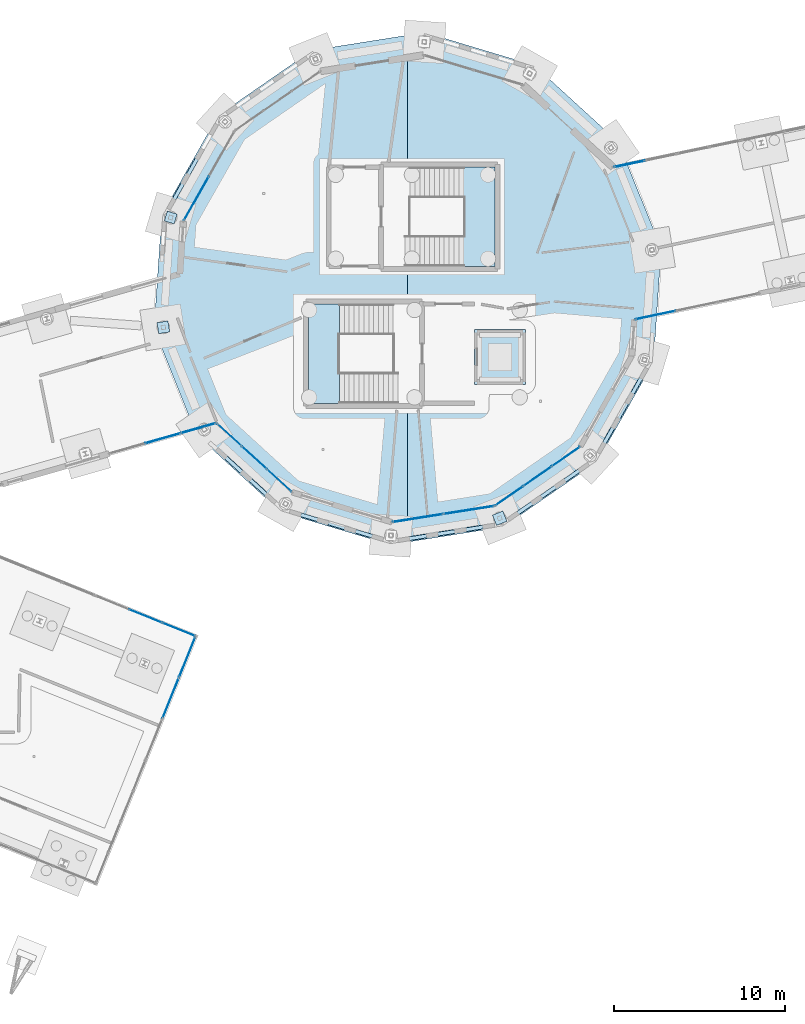
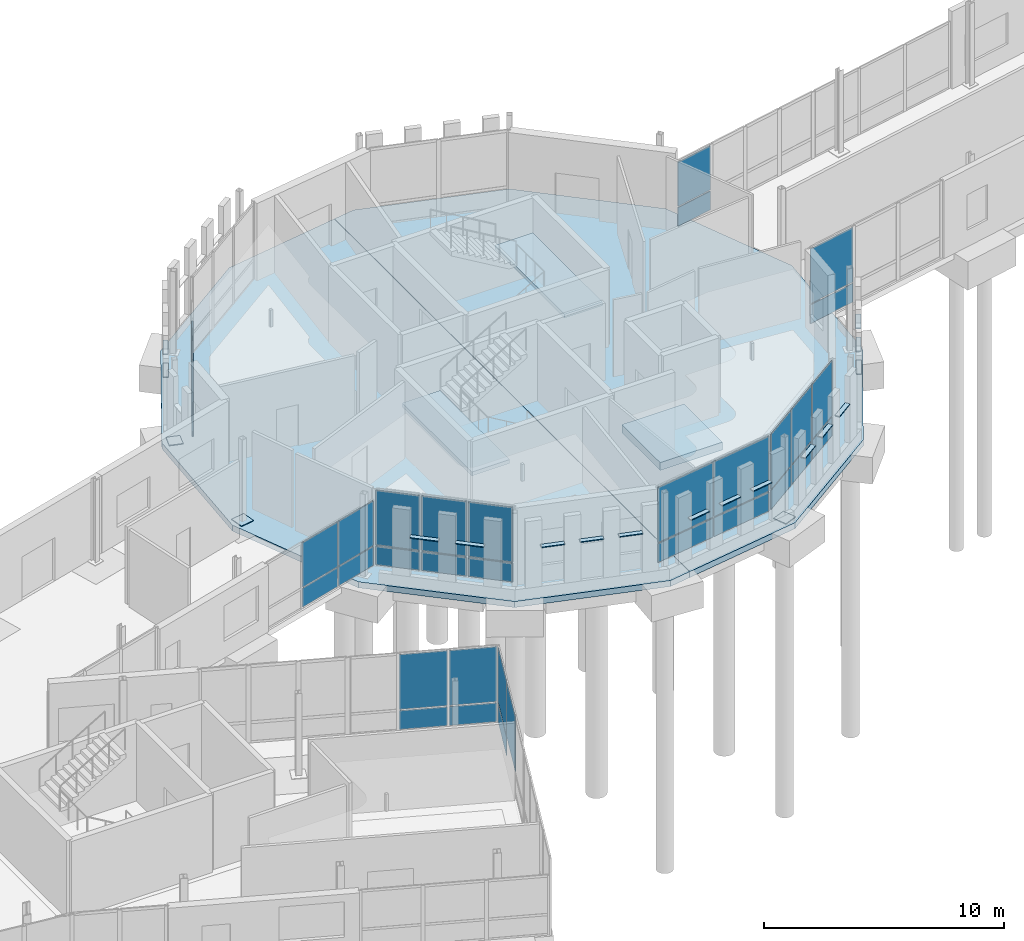
# One storey, part 69 of 113: 52 plates, 5 slabs, 11 elements without a shape of their own.
"""IFC4 building model written with IfcOpenShell, lengths in metres."""

from ifc_helpers import new_model, si_unit, direction, frame, origin, origin_2d, place, context, subcontext, project, spatial, polyline, rectangle, outline, extrude, material, layer, layer_set, type_object, element, aggregate, save


model = new_model("IFC4")

# Units and contexts
model_context = context("Model", 3, precision=1e-05, world=origin(), true_north=direction((0.0, 1.0)))
body_context = subcontext(model_context, "Body", "Model", "MODEL_VIEW")
ifc_project = project(units=[si_unit("LENGTHUNIT", "METRE"), si_unit("AREAUNIT", "SQUARE_METRE"), si_unit("VOLUMEUNIT", "CUBIC_METRE"), si_unit("PLANEANGLEUNIT", "RADIAN"), si_unit("MASSUNIT", "GRAM", prefix="KILO")], contexts=[model_context])

# Site, building, storey
site_placement = place(None, origin())
site = spatial("IfcSite", under=ifc_project, at=site_placement, CompositionType="ELEMENT")
building_placement = place(site_placement, origin())
building = spatial("IfcBuilding", under=site, at=building_placement, Name="Wrenclough Park School", CompositionType="ELEMENT")
storey_placement = place(building_placement, origin())
storey = spatial("IfcBuildingStorey", under=building, at=storey_placement, Name="L00", CompositionType="ELEMENT", Elevation=0.0)

# Curtain wall, plates
ifc_material_1 = material(Name="Thermally broken aluminium and low-e glass curtain wall", Category="aluminium")
curtain_wall_type_1 = type_object("IfcCurtainWallType", Name="ENV-CW-05", PredefinedType="USERDEFINED", material=ifc_material_1)
curtain_wall_1_placement = place(storey_placement, origin())
curtain_wall_1 = element("IfcCurtainWall", 1, at=curtain_wall_1_placement, inside=storey, type_object=curtain_wall_type_1, Name="L00 recessed curtain wall assembly 068", ObjectType="CURTAIN WALL", PredefinedType="USERDEFINED")
ifc_material_2 = material(Name="Double-glazed solar-control low-e glass", Category="glass")
ifc_layer_1 = layer(ifc_material_2, 0.02587890625)
ifc_layer_set_1 = layer_set([ifc_layer_1], Name="Double-glazed solar-control low-e glass")
plate_type_1 = type_object("IfcPlateType", Name="ENV-CWP-GL26", PredefinedType="CURTAIN_PANEL", material=ifc_layer_set_1)
plate_1_placement = place(storey_placement, frame((75.498291015625, 97.292236328125, 0.06982421875), z_axis=(0.0, 0.0, 1.0), x_axis=(-0.738120799972, 0.67466857393, 0.0)))
plate_1 = element("IfcPlate", 2, at=plate_1_placement, type_object=plate_type_1, Name="CW-05 panel 1.1", PredefinedType="CURTAIN_PANEL", context=body_context, shape_type="SweptSolid", body=[
    extrude(rectangle(XDim=1.89013671875, YDim=0.02587890625, at=origin_2d()), origin(), (0.0, 0.0, 1.0), 0.945068359375),
])
plate_2_placement = place(storey_placement, frame((75.498291015625, 97.292236328125, 1.0849609375), z_axis=(0.0, 0.0, 1.0), x_axis=(-0.738120799972, 0.67466857393, 0.0)))
plate_2 = element("IfcPlate", 3, at=plate_2_placement, type_object=plate_type_1, Name="CW-05 panel 1.2", PredefinedType="CURTAIN_PANEL", context=body_context, shape_type="SweptSolid", body=[
    extrude(rectangle(XDim=1.89013671875, YDim=0.02587890625, at=origin_2d()), origin(), (0.0, 0.0, 1.0), 2.784912109375),
])
plate_3_placement = place(storey_placement, frame((74.038330078125, 98.62646484375, 0.06982421875), z_axis=(0.0, 0.0, 1.0), x_axis=(-0.738120799972, 0.67466857393, 0.0)))
plate_3 = element("IfcPlate", 4, at=plate_3_placement, type_object=plate_type_1, Name="CW-05 panel 2.1", PredefinedType="CURTAIN_PANEL", context=body_context, shape_type="SweptSolid", body=[
    extrude(rectangle(XDim=1.92529296875, YDim=0.02587890625, at=origin_2d()), origin(), (0.0, 0.0, 1.0), 0.945068359375),
])
plate_4_placement = place(storey_placement, frame((74.038330078125, 98.62646484375, 1.0849609375), z_axis=(0.0, 0.0, 1.0), x_axis=(-0.738120799972, 0.67466857393, 0.0)))
plate_4 = element("IfcPlate", 5, at=plate_4_placement, type_object=plate_type_1, Name="CW-05 panel 2.2", PredefinedType="CURTAIN_PANEL", context=body_context, shape_type="SweptSolid", body=[
    extrude(rectangle(XDim=1.92529296875, YDim=0.02587890625, at=origin_2d()), origin(), (0.0, 0.0, 1.0), 2.784912109375),
])
plate_5_placement = place(storey_placement, frame((72.57861328125, 99.960693359375, 0.06982421875), z_axis=(0.0, 0.0, 1.0), x_axis=(-0.738120799972, 0.67466857393, 0.0)))
plate_5 = element("IfcPlate", 6, at=plate_5_placement, type_object=plate_type_1, Name="CW-05 panel 3.1", PredefinedType="CURTAIN_PANEL", context=body_context, shape_type="SweptSolid", body=[
    extrude(rectangle(XDim=1.89013671875, YDim=0.02587890625, at=origin_2d()), origin(), (0.0, 0.0, 1.0), 0.945068359375),
])
plate_6_placement = place(storey_placement, frame((72.57861328125, 99.960693359375, 1.0849609375), z_axis=(0.0, 0.0, 1.0), x_axis=(-0.738120799972, 0.67466857393, 0.0)))
plate_6 = element("IfcPlate", 7, at=plate_6_placement, type_object=plate_type_1, Name="CW-05 panel 3.2", PredefinedType="CURTAIN_PANEL", context=body_context, shape_type="SweptSolid", body=[
    extrude(rectangle(XDim=1.89013671875, YDim=0.02587890625, at=origin_2d()), origin(), (0.0, 0.0, 1.0), 2.784912109375),
])
aggregate(curtain_wall_1, [plate_1, plate_2, plate_3, plate_4, plate_5, plate_6])

curtain_wall_type_2 = type_object("IfcCurtainWallType", Name="ENV-CW-09", PredefinedType="USERDEFINED", material=ifc_material_1)
curtain_wall_2_placement = place(storey_placement, origin())
curtain_wall_2 = element("IfcCurtainWall", 8, at=curtain_wall_2_placement, inside=storey, type_object=curtain_wall_type_2, Name="L00 recessed curtain wall assembly 072", ObjectType="CURTAIN WALL", PredefinedType="USERDEFINED")
plate_7_placement = place(storey_placement, frame((67.6875, 89.370849609375, 0.06005859375), z_axis=(0.0, 0.0, 1.0), x_axis=(0.927183906329, -0.3746064653, 0.0)))
plate_7 = element("IfcPlate", 9, at=plate_7_placement, type_object=plate_type_1, Name="CW-09 panel 2.1", PredefinedType="CURTAIN_PANEL", context=body_context, shape_type="SweptSolid", body=[
    extrude(rectangle(XDim=2.0419921875, YDim=0.02587890625, at=origin_2d()), origin(), (0.0, 0.0, 1.0), 0.9599609375),
])
plate_8_placement = place(storey_placement, frame((67.6875, 89.370849609375, 1.080078125), z_axis=(0.0, 0.0, 1.0), x_axis=(0.927183906329, -0.3746064653, 0.0)))
plate_8 = element("IfcPlate", 10, at=plate_8_placement, type_object=plate_type_1, Name="CW-09 panel 2.2", PredefinedType="CURTAIN_PANEL", context=body_context, shape_type="SweptSolid", body=[
    extrude(rectangle(XDim=2.0419921875, YDim=0.02587890625, at=origin_2d()), origin(), (0.0, 0.0, 1.0), 2.800048828125),
])
plate_9_placement = place(storey_placement, frame((69.62255859375, 88.589111328125, 0.06005859375), z_axis=(0.0, 0.0, 1.0), x_axis=(0.927183906329, -0.3746064653, 0.0)))
plate_9 = element("IfcPlate", 11, at=plate_9_placement, type_object=plate_type_1, Name="CW-09 panel 3.1", PredefinedType="CURTAIN_PANEL", context=body_context, shape_type="SweptSolid", body=[
    extrude(rectangle(XDim=2.011962890625, YDim=0.02587890625, at=origin_2d()), origin(), (0.0, 0.0, 1.0), 0.9599609375),
])
plate_10_placement = place(storey_placement, frame((69.62255859375, 88.589111328125, 1.080078125), z_axis=(0.0, 0.0, 1.0), x_axis=(0.927183906329, -0.3746064653, 0.0)))
plate_10 = element("IfcPlate", 12, at=plate_10_placement, type_object=plate_type_1, Name="CW-09 panel 3.2", PredefinedType="CURTAIN_PANEL", context=body_context, shape_type="SweptSolid", body=[
    extrude(rectangle(XDim=2.011962890625, YDim=0.02587890625, at=origin_2d()), origin(), (0.0, 0.0, 1.0), 2.800048828125),
])
aggregate(curtain_wall_2, [plate_7, plate_8, plate_9, plate_10])

curtain_wall_type_3 = type_object("IfcCurtainWallType", Name="ENV-CW-02", PredefinedType="USERDEFINED", material=ifc_material_1)
curtain_wall_3_placement = place(storey_placement, origin())
curtain_wall_3 = element("IfcCurtainWall", 13, at=curtain_wall_3_placement, inside=storey, type_object=curtain_wall_type_3, Name="L00 recessed curtain wall assembly 065", ObjectType="CURTAIN WALL", PredefinedType="USERDEFINED")
ifc_material_3 = material(Name="Double-glazed acoustic low-e glass", Category="glass")
ifc_layer_2 = layer(ifc_material_3, 0.030029296875)
ifc_layer_set_2 = layer_set([ifc_layer_2], Name="Double-glazed acoustic low-e glass")
plate_type_2 = type_object("IfcPlateType", Name="ENV-CWP-GL30", PredefinedType="CURTAIN_PANEL", material=ifc_layer_set_2)
plate_11_placement = place(storey_placement, frame((97.477294921875, 106.953125, 0.06982421875), z_axis=(0.0, 0.0, 1.0), x_axis=(-0.978788431396, -0.204873635602, 0.0)))
plate_11 = element("IfcPlate", 14, at=plate_11_placement, type_object=plate_type_2, Name="CW-02 panel 3.1", PredefinedType="CURTAIN_PANEL", context=body_context, shape_type="SweptSolid", body=[
    extrude(rectangle(XDim=2.375, YDim=0.030029296875, at=origin_2d()), origin(), (0.0, 0.0, 1.0), 0.945068359375),
])
plate_12_placement = place(storey_placement, frame((97.477294921875, 106.953125, 1.0849609375), z_axis=(0.0, 0.0, 1.0), x_axis=(-0.978788431396, -0.204873635602, 0.0)))
plate_12 = element("IfcPlate", 15, at=plate_12_placement, type_object=plate_type_2, Name="CW-02 panel 3.2", PredefinedType="CURTAIN_PANEL", context=body_context, shape_type="SweptSolid", body=[
    extrude(rectangle(XDim=2.375, YDim=0.030029296875, at=origin_2d()), origin(), (0.0, 0.0, 1.0), 2.784912109375),
])
aggregate(curtain_wall_3, [plate_11, plate_12])

curtain_wall_type_4 = type_object("IfcCurtainWallType", Name="ENV-CW-10", PredefinedType="USERDEFINED", material=ifc_material_1)
curtain_wall_4_placement = place(storey_placement, origin())
curtain_wall_4 = element("IfcCurtainWall", 16, at=curtain_wall_4_placement, inside=storey, type_object=curtain_wall_type_4, Name="L00 recessed curtain wall assembly 073", ObjectType="CURTAIN WALL", PredefinedType="USERDEFINED")
plate_13_placement = place(storey_placement, frame((70.121826171875, 86.968505859375, 0.06494140625), z_axis=(0.0, 0.0, 1.0), x_axis=(-0.374589627082, -0.92719070923, 0.0)))
plate_13 = element("IfcPlate", 17, at=plate_13_placement, type_object=plate_type_2, Name="CW-10 panel 1.1", PredefinedType="CURTAIN_PANEL", context=body_context, shape_type="SweptSolid", body=[
    extrude(rectangle(XDim=2.4931640625, YDim=0.030029296875, at=origin_2d()), origin(), (0.0, 0.0, 1.0), 0.952392578125),
])
plate_14_placement = place(storey_placement, frame((70.121826171875, 86.968505859375, 1.08251953125), z_axis=(0.0, 0.0, 1.0), x_axis=(-0.374589627082, -0.92719070923, 0.0)))
plate_14 = element("IfcPlate", 18, at=plate_14_placement, type_object=plate_type_2, Name="CW-10 panel 1.2", PredefinedType="CURTAIN_PANEL", context=body_context, shape_type="SweptSolid", body=[
    extrude(rectangle(XDim=2.4931640625, YDim=0.030029296875, at=origin_2d()), origin(), (0.0, 0.0, 1.0), 2.79248046875),
])
plate_15_placement = place(storey_placement, frame((69.157470703125, 84.58154296875, 1.08251953125), z_axis=(0.0, 0.0, 1.0), x_axis=(-0.374589627082, -0.92719070923, 0.0)))
plate_15 = element("IfcPlate", 19, at=plate_15_placement, type_object=plate_type_2, Name="CW-10 panel 2.2", PredefinedType="CURTAIN_PANEL", context=body_context, shape_type="SweptSolid", body=[
    extrude(rectangle(XDim=2.525634765625, YDim=0.030029296875, at=origin_2d()), origin(), (0.0, 0.0, 1.0), 2.79248046875),
])
aggregate(curtain_wall_4, [plate_13, plate_14, plate_15])

curtain_wall_type_5 = type_object("IfcCurtainWallType", Name="ENV-CW-03", PredefinedType="USERDEFINED", material=ifc_material_1)
curtain_wall_5_placement = place(storey_placement, origin())
curtain_wall_5 = element("IfcCurtainWall", 20, at=curtain_wall_5_placement, inside=storey, type_object=curtain_wall_type_5, Name="L00 recessed curtain wall assembly 066", ObjectType="CURTAIN WALL", PredefinedType="USERDEFINED")
ifc_material_4 = material(Name="Triple-glazed senior-lab low-e glass", Category="glass")
ifc_layer_3 = layer(ifc_material_4, 0.033935546875)
ifc_layer_set_3 = layer_set([ifc_layer_3], Name="Triple-glazed senior-lab low-e glass")
plate_type_3 = type_object("IfcPlateType", Name="ENV-CWP-GL34", PredefinedType="CURTAIN_PANEL", material=ifc_layer_set_3)
plate_16_placement = place(storey_placement, frame((92.246826171875, 98.6845703125, 0.06005859375), z_axis=(0.0, 0.0, 1.0), x_axis=(-0.822000846783, -0.569486266638, 0.0)))
plate_16 = element("IfcPlate", 21, at=plate_16_placement, type_object=plate_type_3, Name="CW-03 panel 1.1", PredefinedType="CURTAIN_PANEL", context=body_context, shape_type="SweptSolid", body=[
    extrude(rectangle(XDim=1.93603515625, YDim=0.033935546875, at=origin_2d()), origin(), (0.0, 0.0, 1.0), 0.9599609375),
])
plate_17_placement = place(storey_placement, frame((92.246826171875, 98.6845703125, 1.080078125), z_axis=(0.0, 0.0, 1.0), x_axis=(-0.822000846783, -0.569486266638, 0.0)))
plate_17 = element("IfcPlate", 22, at=plate_17_placement, type_object=plate_type_3, Name="CW-03 panel 1.2", PredefinedType="CURTAIN_PANEL", context=body_context, shape_type="SweptSolid", body=[
    extrude(rectangle(XDim=1.93603515625, YDim=0.033935546875, at=origin_2d()), origin(), (0.0, 0.0, 1.0), 2.800048828125),
])
plate_18_placement = place(storey_placement, frame((90.593505859375, 97.539306640625, 0.06005859375), z_axis=(0.0, 0.0, 1.0), x_axis=(-0.822000846783, -0.569486266638, 0.0)))
plate_18 = element("IfcPlate", 23, at=plate_18_placement, type_object=plate_type_3, Name="CW-03 panel 2.1", PredefinedType="CURTAIN_PANEL", context=body_context, shape_type="SweptSolid", body=[
    extrude(rectangle(XDim=1.966064453125, YDim=0.033935546875, at=origin_2d()), origin(), (0.0, 0.0, 1.0), 0.9599609375),
])
plate_19_placement = place(storey_placement, frame((90.593505859375, 97.539306640625, 1.080078125), z_axis=(0.0, 0.0, 1.0), x_axis=(-0.822000846783, -0.569486266638, 0.0)))
plate_19 = element("IfcPlate", 24, at=plate_19_placement, type_object=plate_type_3, Name="CW-03 panel 2.2", PredefinedType="CURTAIN_PANEL", context=body_context, shape_type="SweptSolid", body=[
    extrude(rectangle(XDim=1.966064453125, YDim=0.033935546875, at=origin_2d()), origin(), (0.0, 0.0, 1.0), 2.800048828125),
])
plate_20_placement = place(storey_placement, frame((88.9404296875, 96.39404296875, 0.06005859375), z_axis=(0.0, 0.0, 1.0), x_axis=(-0.822000846783, -0.569486266638, 0.0)))
plate_20 = element("IfcPlate", 25, at=plate_20_placement, type_object=plate_type_3, Name="CW-03 panel 3.1", PredefinedType="CURTAIN_PANEL", context=body_context, shape_type="SweptSolid", body=[
    extrude(rectangle(XDim=1.93603515625, YDim=0.033935546875, at=origin_2d()), origin(), (0.0, 0.0, 1.0), 0.9599609375),
])
plate_21_placement = place(storey_placement, frame((88.9404296875, 96.39404296875, 1.080078125), z_axis=(0.0, 0.0, 1.0), x_axis=(-0.822000846783, -0.569486266638, 0.0)))
plate_21 = element("IfcPlate", 26, at=plate_21_placement, type_object=plate_type_3, Name="CW-03 panel 3.2", PredefinedType="CURTAIN_PANEL", context=body_context, shape_type="SweptSolid", body=[
    extrude(rectangle(XDim=1.93603515625, YDim=0.033935546875, at=origin_2d()), origin(), (0.0, 0.0, 1.0), 2.800048828125),
])
aggregate(curtain_wall_5, [plate_16, plate_17, plate_18, plate_19, plate_20, plate_21])

curtain_wall_type_6 = type_object("IfcCurtainWallType", Name="ENV-CW-12", PredefinedType="USERDEFINED", material=ifc_material_1)
curtain_wall_6_placement = place(storey_placement, origin())
curtain_wall_6 = element("IfcCurtainWall", 27, at=curtain_wall_6_placement, inside=storey, type_object=curtain_wall_type_6, Name="L00 recessed curtain wall assembly 011", ObjectType="CURTAIN WALL", PredefinedType="USERDEFINED")
ifc_material_5 = material(Name="Laminated sports-concourse safety glass", Category="glass")
ifc_layer_4 = layer(ifc_material_5, 0.0380859375)
ifc_layer_set_4 = layer_set([ifc_layer_4], Name="Laminated sports-concourse safety glass")
plate_type_4 = type_object("IfcPlateType", Name="ENV-CWP-GL38", PredefinedType="CURTAIN_PANEL", material=ifc_layer_set_4)
plate_22_placement = place(storey_placement, frame((70.66162109375, 113.77392578125, 0.06982421875), z_axis=(0.0, 0.0, 1.0), x_axis=(0.493500599274, 0.869745456163, 0.0)))
plate_22 = element("IfcPlate", 28, at=plate_22_placement, type_object=plate_type_4, Name="CW-12 panel 1.1", PredefinedType="CURTAIN_PANEL", context=body_context, shape_type="SweptSolid", body=[
    extrude(rectangle(XDim=2.9345703125, YDim=0.0380859375, at=origin_2d()), origin(), (0.0, 0.0, 1.0), 0.945068359375),
])
plate_23_placement = place(storey_placement, frame((70.66162109375, 113.77392578125, 1.0849609375), z_axis=(0.0, 0.0, 1.0), x_axis=(0.493500599274, 0.869745456163, 0.0)))
plate_23 = element("IfcPlate", 29, at=plate_23_placement, type_object=plate_type_4, Name="CW-12 panel 1.2", PredefinedType="CURTAIN_PANEL", context=body_context, shape_type="SweptSolid", body=[
    extrude(rectangle(XDim=2.9345703125, YDim=0.0380859375, at=origin_2d()), origin(), (0.0, 0.0, 1.0), 2.784912109375),
])
aggregate(curtain_wall_6, [plate_22, plate_23])

curtain_wall_type_7 = type_object("IfcCurtainWallType", Name="ENV-CW-04", PredefinedType="USERDEFINED", material=ifc_material_1)
curtain_wall_7_placement = place(storey_placement, origin())
curtain_wall_7 = element("IfcCurtainWall", 30, at=curtain_wall_7_placement, inside=storey, type_object=curtain_wall_type_7, Name="L00 recessed curtain wall assembly 067", ObjectType="CURTAIN WALL", PredefinedType="USERDEFINED")
plate_24_placement = place(storey_placement, frame((86.571044921875, 95.5654296875, 0.06494140625), z_axis=(0.0, 0.0, 1.0), x_axis=(-0.987689764371, -0.156425475408, 0.0)))
plate_24 = element("IfcPlate", 31, at=plate_24_placement, type_object=plate_type_4, Name="CW-04 panel 1.1", PredefinedType="CURTAIN_PANEL", context=body_context, shape_type="SweptSolid", body=[
    extrude(rectangle(XDim=2.94189453125, YDim=0.0380859375, at=origin_2d()), origin(), (0.0, 0.0, 1.0), 0.952392578125),
])
plate_25_placement = place(storey_placement, frame((86.571044921875, 95.5654296875, 1.08251953125), z_axis=(0.0, 0.0, 1.0), x_axis=(-0.987689764371, -0.156425475408, 0.0)))
plate_25 = element("IfcPlate", 32, at=plate_25_placement, type_object=plate_type_4, Name="CW-04 panel 1.2", PredefinedType="CURTAIN_PANEL", context=body_context, shape_type="SweptSolid", body=[
    extrude(rectangle(XDim=2.94189453125, YDim=0.0380859375, at=origin_2d()), origin(), (0.0, 0.0, 1.0), 2.79248046875),
])
plate_26_placement = place(storey_placement, frame((83.60107421875, 95.094970703125, 0.06494140625), z_axis=(0.0, 0.0, 1.0), x_axis=(-0.987689764371, -0.156425475408, 0.0)))
plate_26 = element("IfcPlate", 33, at=plate_26_placement, type_object=plate_type_4, Name="CW-04 panel 2.1", PredefinedType="CURTAIN_PANEL", context=body_context, shape_type="SweptSolid", body=[
    extrude(rectangle(XDim=2.94189453125, YDim=0.0380859375, at=origin_2d()), origin(), (0.0, 0.0, 1.0), 0.952392578125),
])
plate_27_placement = place(storey_placement, frame((83.60107421875, 95.094970703125, 1.08251953125), z_axis=(0.0, 0.0, 1.0), x_axis=(-0.987689764371, -0.156425475408, 0.0)))
plate_27 = element("IfcPlate", 34, at=plate_27_placement, type_object=plate_type_4, Name="CW-04 panel 2.2", PredefinedType="CURTAIN_PANEL", context=body_context, shape_type="SweptSolid", body=[
    extrude(rectangle(XDim=2.94189453125, YDim=0.0380859375, at=origin_2d()), origin(), (0.0, 0.0, 1.0), 2.79248046875),
])
aggregate(curtain_wall_7, [plate_24, plate_25, plate_26, plate_27])

curtain_wall_type_8 = type_object("IfcCurtainWallType", Name="ENV-CW-06", PredefinedType="USERDEFINED", material=ifc_material_1)
curtain_wall_8_placement = place(storey_placement, origin())
curtain_wall_8 = element("IfcCurtainWall", 35, at=curtain_wall_8_placement, inside=storey, type_object=curtain_wall_type_8, Name="L00 recessed curtain wall assembly 069", ObjectType="CURTAIN WALL", PredefinedType="USERDEFINED")
ifc_material_6 = material(Name="Insulated anodised aluminium spandrel panel", Category="aluminium")
ifc_layer_5 = layer(ifc_material_6, 0.0419921875)
ifc_layer_set_5 = layer_set([ifc_layer_5], Name="Insulated anodised aluminium spandrel panel")
plate_type_5 = type_object("IfcPlateType", Name="ENV-CWP-SP42", PredefinedType="CURTAIN_PANEL", material=ifc_layer_set_5)
plate_28_placement = place(storey_placement, frame((70.766357421875, 100.345458984375, 0.06005859375), z_axis=(0.0, 0.0, 1.0), x_axis=(-0.961523367152, -0.274723159598, 0.0)))
plate_28 = element("IfcPlate", 36, at=plate_28_placement, type_object=plate_type_5, Name="CW-06 panel 1.1", PredefinedType="CURTAIN_PANEL", context=body_context, shape_type="SweptSolid", body=[
    extrude(rectangle(XDim=2.076904296875, YDim=0.0419921875, at=origin_2d()), origin(), (0.0, 0.0, 1.0), 0.9599609375),
])
plate_29_placement = place(storey_placement, frame((70.766357421875, 100.345458984375, 1.080078125), z_axis=(0.0, 0.0, 1.0), x_axis=(-0.961523367152, -0.274723159598, 0.0)))
plate_29 = element("IfcPlate", 37, at=plate_29_placement, type_object=plate_type_5, Name="CW-06 panel 1.2", PredefinedType="CURTAIN_PANEL", context=body_context, shape_type="SweptSolid", body=[
    extrude(rectangle(XDim=2.076904296875, YDim=0.0419921875, at=origin_2d()), origin(), (0.0, 0.0, 1.0), 2.2587890625),
])
plate_30_placement = place(storey_placement, frame((68.697265625, 99.754150390625, 0.06005859375), z_axis=(0.0, 0.0, 1.0), x_axis=(-0.961523367152, -0.274723159598, 0.0)))
plate_30 = element("IfcPlate", 38, at=plate_30_placement, type_object=plate_type_5, Name="CW-06 panel 2.1", PredefinedType="CURTAIN_PANEL", context=body_context, shape_type="SweptSolid", body=[
    extrude(rectangle(XDim=2.10693359375, YDim=0.0419921875, at=origin_2d()), origin(), (0.0, 0.0, 1.0), 0.9599609375),
])
plate_31_placement = place(storey_placement, frame((68.697265625, 99.754150390625, 1.080078125), z_axis=(0.0, 0.0, 1.0), x_axis=(-0.961523367152, -0.274723159598, 0.0)))
plate_31 = element("IfcPlate", 39, at=plate_31_placement, type_object=plate_type_5, Name="CW-06 panel 2.2", PredefinedType="CURTAIN_PANEL", context=body_context, shape_type="SweptSolid", body=[
    extrude(rectangle(XDim=2.10693359375, YDim=0.0419921875, at=origin_2d()), origin(), (0.0, 0.0, 1.0), 2.2587890625),
])
aggregate(curtain_wall_8, [plate_28, plate_29, plate_30, plate_31])

curtain_wall_type_9 = type_object("IfcCurtainWallType", Name="ENV-CW-15", PredefinedType="USERDEFINED", material=ifc_material_1)
curtain_wall_9_placement = place(storey_placement, origin())
curtain_wall_9 = element("IfcCurtainWall", 40, at=curtain_wall_9_placement, inside=storey, type_object=curtain_wall_type_9, Name="L00 recessed curtain wall assembly 014", ObjectType="CURTAIN WALL", PredefinedType="USERDEFINED")
ifc_material_7 = material(Name="Insulated patinated copper-toned spandrel panel", Category="aluminium")
ifc_layer_6 = layer(ifc_material_7, 0.048095703125)
ifc_layer_set_6 = layer_set([ifc_layer_6], Name="Insulated patinated copper-toned spandrel panel")
plate_type_6 = type_object("IfcPlateType", Name="ENV-CWP-SP48", PredefinedType="CURTAIN_PANEL", material=ifc_layer_set_6)
plate_32_placement = place(storey_placement, frame((95.962890625, 115.790283203125, 0.06982421875), z_axis=(0.0, 0.0, 1.0), x_axis=(0.978788978052, 0.204871023923, 0.0)))
plate_32 = element("IfcPlate", 41, at=plate_32_placement, type_object=plate_type_6, Name="CW-15 panel 1.1", PredefinedType="CURTAIN_PANEL", context=body_context, shape_type="SweptSolid", body=[
    extrude(rectangle(XDim=1.805908203125, YDim=0.048095703125, at=origin_2d()), origin(), (0.0, 0.0, 1.0), 0.945068359375),
])
plate_33_placement = place(storey_placement, frame((95.962890625, 115.790283203125, 1.0849609375), z_axis=(0.0, 0.0, 1.0), x_axis=(0.978788978052, 0.204871023923, 0.0)))
plate_33 = element("IfcPlate", 42, at=plate_33_placement, type_object=plate_type_6, Name="CW-15 panel 1.2", PredefinedType="CURTAIN_PANEL", context=body_context, shape_type="SweptSolid", body=[
    extrude(rectangle(XDim=1.805908203125, YDim=0.048095703125, at=origin_2d()), origin(), (0.0, 0.0, 1.0), 2.243896484375),
])
aggregate(curtain_wall_9, [plate_32, plate_33])

# Plates
ifc_material_8 = material(Name="Anodised architectural aluminium solar shading fin plate", Category="aluminium")
ifc_layer_7 = layer(ifc_material_8, 0.0380859375)
ifc_layer_set_7 = layer_set([ifc_layer_7], Name="Anodised architectural aluminium solar shading fin plate")
plate_type_7 = type_object("IfcPlateType", Name="ENV-PL-BSF", PredefinedType="SHEET", material=ifc_layer_set_7)
plate_34_placement = place(storey_placement, frame((70.4375, 115.62841796875, 2.4951171875), z_axis=(0.0, 0.0, 1.0), x_axis=(-0.493508752009, -0.869740830185, 0.0)))
element("IfcPlate", 43, at=plate_34_placement, inside=storey, type_object=plate_type_7, Name="D4 L00 open-bond brick screen tie band 0086", PredefinedType="SHEET", context=body_context, shape_type="SweptSolid", body=[
    extrude(rectangle(XDim=1.01806640625, YDim=0.219970703125, at=origin_2d()), origin(), (0.0, 0.0, 1.0), 0.0419921875),
])
plate_35_placement = place(storey_placement, frame((69.614013671875, 114.1767578125, 2.4951171875), z_axis=(0.0, 0.0, 1.0), x_axis=(-0.493508752009, -0.869740830185, 0.0)))
element("IfcPlate", 44, at=plate_35_placement, inside=storey, type_object=plate_type_7, Name="D4 L00 open-bond brick screen tie band 0087", PredefinedType="SHEET", context=body_context, shape_type="SweptSolid", body=[
    extrude(rectangle(XDim=1.017822265625, YDim=0.219970703125, at=origin_2d()), origin(), (0.0, 0.0, 1.0), 0.0419921875),
])
for number, where, z_axis, x_axis, name in (
    (45, (72.848876953125, 98.2099609375, 2.4951171875), (0.0, 0.0, 1.0), (0.738123462925, -0.674665660516, 0.0), "D4 L00 open-bond brick screen tie band 0089"),
    (46, (74.28369140625, 96.8984375, 2.4951171875), (0.0, 0.0, 1.0), (0.738123462925, -0.674665660516, 0.0), "D4 L00 open-bond brick screen tie band 0090"),
):
    element("IfcPlate", number, at=place(storey_placement, frame(where, z_axis=z_axis, x_axis=x_axis)), inside=storey, type_object=plate_type_7, Name=name, PredefinedType="SHEET", context=body_context, shape_type="SweptSolid", body=[
        extrude(rectangle(XDim=1.23388671875, YDim=0.219970703125, at=origin_2d()), origin(), (0.0, 0.0, 1.0), 0.0419921875),
    ])
for number, where, z_axis, x_axis, name in (
    (47, (77.24755859375, 95.146240234375, 2.4951171875), (0.0, 0.0, 1.0), (0.957751215921, -0.287597997911, 0.0), "D4 L00 open-bond brick screen tie band 0091"),
    (48, (78.845947265625, 94.666259765625, 2.4951171875), (0.0, 0.0, 1.0), (0.957751215921, -0.287597997911, 0.0), "D4 L00 open-bond brick screen tie band 0092"),
    (49, (80.4443359375, 94.186279296875, 2.4951171875), (0.0, 0.0, 1.0), (0.957751215921, -0.287597997911, 0.0), "D4 L00 open-bond brick screen tie band 0093"),
    (50, (83.611083984375, 93.972900390625, 2.4951171875), (0.0, 0.0, 1.0), (0.98768815471, 0.156435638666, 0.0), "D4 L00 open-bond brick screen tie band 0094"),
    (51, (85.259521484375, 94.23388671875, 2.4951171875), (0.0, 0.0, 1.0), (0.98768815471, 0.156435638666, 0.0), "D4 L00 open-bond brick screen tie band 0095"),
    (52, (86.90771484375, 94.4951171875, 2.4951171875), (0.0, 0.0, 1.0), (0.98768815471, 0.156435638666, 0.0), "D4 L00 open-bond brick screen tie band 0096"),
):
    element("IfcPlate", number, at=place(storey_placement, frame(where, z_axis=z_axis, x_axis=x_axis)), inside=storey, type_object=plate_type_7, Name=name, PredefinedType="SHEET", context=body_context, shape_type="SweptSolid", body=[
        extrude(rectangle(XDim=1.017822265625, YDim=0.219970703125, at=origin_2d()), origin(), (0.0, 0.0, 1.0), 0.0419921875),
    ])
plate_36_placement = place(storey_placement, frame((89.853759765625, 95.6767578125, 2.4951171875), z_axis=(0.0, 0.0, 1.0), x_axis=(0.8220077158, 0.569476351718, 0.0)))
element("IfcPlate", 53, at=plate_36_placement, inside=storey, type_object=plate_type_7, Name="D4 L00 open-bond brick screen tie band 0097", PredefinedType="SHEET", context=body_context, shape_type="SweptSolid", body=[
    extrude(rectangle(XDim=1.01806640625, YDim=0.219970703125, at=origin_2d()), origin(), (0.0, 0.0, 1.0), 0.0419921875),
])
plate_37_placement = place(storey_placement, frame((91.2255859375, 96.627197265625, 2.4951171875), z_axis=(0.0, 0.0, 1.0), x_axis=(0.8220077158, 0.569476351718, 0.0)))
element("IfcPlate", 54, at=plate_37_placement, inside=storey, type_object=plate_type_7, Name="D4 L00 open-bond brick screen tie band 0098", PredefinedType="SHEET", context=body_context, shape_type="SweptSolid", body=[
    extrude(rectangle(XDim=1.017822265625, YDim=0.219970703125, at=origin_2d()), origin(), (0.0, 0.0, 1.0), 0.0419921875),
])
plate_38_placement = place(storey_placement, frame((92.597412109375, 97.577392578125, 2.4951171875), z_axis=(0.0, 0.0, 1.0), x_axis=(0.8220077158, 0.569476351718, 0.0)))
element("IfcPlate", 55, at=plate_38_placement, inside=storey, type_object=plate_type_7, Name="D4 L00 open-bond brick screen tie band 0099", PredefinedType="SHEET", context=body_context, shape_type="SweptSolid", body=[
    extrude(rectangle(XDim=1.01806640625, YDim=0.219970703125, at=origin_2d()), origin(), (0.0, 0.0, 1.0), 0.0419921875),
])
plate_39_placement = place(storey_placement, frame((94.73876953125, 99.920166015625, 2.4951171875), z_axis=(0.0, 0.0, 1.0), x_axis=(0.493508752009, 0.869740830185, 0.0)))
element("IfcPlate", 56, at=plate_39_placement, inside=storey, type_object=plate_type_7, Name="D4 L00 open-bond brick screen tie band 0100", PredefinedType="SHEET", context=body_context, shape_type="SweptSolid", body=[
    extrude(rectangle(XDim=1.017822265625, YDim=0.219970703125, at=origin_2d()), origin(), (0.0, 0.0, 1.0), 0.0419921875),
])
plate_40_placement = place(storey_placement, frame((95.5625, 101.37158203125, 2.4951171875), z_axis=(0.0, 0.0, 1.0), x_axis=(0.493508752009, 0.869740830185, 0.0)))
element("IfcPlate", 57, at=plate_40_placement, inside=storey, type_object=plate_type_7, Name="D4 L00 open-bond brick screen tie band 0101", PredefinedType="SHEET", context=body_context, shape_type="SweptSolid", body=[
    extrude(rectangle(XDim=1.01806640625, YDim=0.219970703125, at=origin_2d()), origin(), (0.0, 0.0, 1.0), 0.0419921875),
])
plate_41_placement = place(storey_placement, frame((96.385986328125, 102.8232421875, 2.4951171875), z_axis=(0.0, 0.0, 1.0), x_axis=(0.493508752009, 0.869740830185, 0.0)))
element("IfcPlate", 58, at=plate_41_placement, inside=storey, type_object=plate_type_7, Name="D4 L00 open-bond brick screen tie band 0102", PredefinedType="SHEET", context=body_context, shape_type="SweptSolid", body=[
    extrude(rectangle(XDim=1.017822265625, YDim=0.219970703125, at=origin_2d()), origin(), (0.0, 0.0, 1.0), 0.0419921875),
])

# Stair, slab
ifc_material_9 = material(Name="Precast concrete C40/50", Category="concrete")
stair_type = type_object("IfcStairType", Name="INT-ST-180-42", PredefinedType="HALF_TURN_STAIR", material=ifc_material_9)
stair_1_placement = place(storey_placement, origin())
stair_1 = element("IfcStair", 59, at=stair_1_placement, inside=storey, type_object=stair_type, Name="L00 escape stair ST-04", PredefinedType="HALF_TURN_STAIR")
ifc_layer_8 = layer(ifc_material_9, 0.195068359375)
ifc_layer_set_8 = layer_set([ifc_layer_8], Name="Precast concrete C40/50")
slab_type_1 = type_object("IfcSlabType", Name="INT-SL-LAND195", PredefinedType="LANDING", material=ifc_layer_set_8)
slab_1_placement = place(storey_placement, frame((0.0, 0.0, 1.989013671875)))
slab_1 = element("IfcSlab", 60, at=slab_1_placement, type_object=slab_type_1, Name="ST-04 landing 1", PredefinedType="LANDING", context=body_context, shape_type="SweptSolid", body=[
    extrude(outline(polyline([(77.199951171875, 101.800048828125), (79.02294921875, 101.800048828125), (79.02294921875, 107.60009765625), (77.199951171875, 107.60009765625), (77.199951171875, 101.800048828125)])), origin(), (0.0, 0.0, 1.0), 0.195068359375),
])
aggregate(stair_1, [slab_1])

stair_2_placement = place(storey_placement, origin())
stair_2 = element("IfcStair", 61, at=stair_2_placement, inside=storey, type_object=stair_type, Name="L00 escape stair ST-08", PredefinedType="HALF_TURN_STAIR")
slab_2_placement = place(storey_placement, frame((0.0, 0.0, 1.989013671875)))
slab_2 = element("IfcSlab", 62, at=slab_2_placement, type_object=slab_type_1, Name="ST-08 landing 1", PredefinedType="LANDING", context=body_context, shape_type="SweptSolid", body=[
    extrude(outline(polyline([(86.277099609375, 109.800048828125), (88.10009765625, 109.800048828125), (88.10009765625, 115.60009765625), (86.277099609375, 115.60009765625), (86.277099609375, 109.800048828125)])), origin(), (0.0, 0.0, 1.0), 0.195068359375),
])
aggregate(stair_2, [slab_2])

# Plates
ifc_material_10 = material(Name="Structural steel S355", Category="steel")
ifc_layer_9 = layer(ifc_material_10, 0.031982421875)
ifc_layer_set_9 = layer_set([ifc_layer_9], Name="Structural steel S355")
plate_type_8 = type_object("IfcPlateType", Name="STR-PL-BP1", PredefinedType="SHEET", material=ifc_layer_set_9)
for number, where, z_axis, x_axis, name in (
    (63, (68.727783203125, 106.239501953125, 0.0), (0.0, 0.0, 1.0), (0.15643446504, -0.987688340595, 0.0), "Steel column baseplate D4-OUT-08"),
    (64, (88.379638671875, 95.088623046875, 0.0), (0.0, 0.0, 1.0), (0.928096422365, 0.372339939832, 0.0), "Steel column baseplate D4-OUT-12"),
):
    element("IfcPlate", number, at=place(storey_placement, frame(where, z_axis=z_axis, x_axis=x_axis)), inside=storey, type_object=plate_type_8, Name=name, PredefinedType="SHEET", context=body_context, shape_type="SweptSolid", body=[
        extrude(rectangle(XDim=0.64990234375, YDim=0.64990234375, at=origin_2d()), origin(), (0.0, 0.0, 1.0), 0.031982421875),
    ])
ifc_layer_10 = layer(ifc_material_10, 0.030029296875)
ifc_layer_set_10 = layer_set([ifc_layer_10], Name="Structural steel S355")
plate_type_9 = type_object("IfcPlateType", Name="STR-PL-BP4", PredefinedType="SHEET", material=ifc_layer_set_10)
plate_42_placement = place(storey_placement, frame((69.160400390625, 112.65576171875, 0.0), z_axis=(0.0, 0.0, 1.0), x_axis=(-0.287527687034, -0.957772326385, 0.0)))
element("IfcPlate", 65, at=plate_42_placement, inside=storey, type_object=plate_type_9, Name="Steel column baseplate D4-OUT-07", PredefinedType="SHEET", context=body_context, shape_type="SweptSolid", body=[
    extrude(rectangle(XDim=0.60009765625, YDim=0.60009765625, at=origin_2d()), origin(), (0.0, 0.0, 1.0), 0.030029296875),
])

# Slabs
ifc_material_11 = material(Name="Concrete C35/45", Category="concrete")
ifc_layer_11 = layer(ifc_material_11, 0.300048828125)
ifc_layer_set_11 = layer_set([ifc_layer_11], Name="Concrete C35/45")
slab_type_2 = type_object("IfcSlabType", Name="STR-SL-BASE300", PredefinedType="BASESLAB", material=ifc_layer_set_11)
slab_3_placement = place(storey_placement, frame((0.0, 0.0, -0.300048828125)))
element("IfcSlab", 66, at=slab_3_placement, inside=storey, type_object=slab_type_2, Name="D4 L00 structural slab SLAB-D4-L00-W", PredefinedType="BASESLAB", context=body_context, shape_type="SweptSolid", body=[
    extrude(outline(polyline([(81.990966796875, 93.533935546875), (82.993896484375, 93.69287109375), (82.993896484375, 123.30517578125), (77.41552734375, 122.421630859375), (71.92822265625, 118.6201171875), (68.6337890625, 112.81396484375), (68.184814453125, 106.153564453125), (70.669921875, 99.957763671875), (75.597412109375, 95.453857421875), (81.990966796875, 93.533935546875)])), origin(), (0.0, 0.0, 1.0), 0.300048828125),
])
slab_4_placement = place(storey_placement, frame((0.0, 0.0, -0.300048828125)))
element("IfcSlab", 67, at=slab_4_placement, inside=storey, type_object=slab_type_2, Name="D4 L00 structural slab SLAB-D4-L00-E", PredefinedType="BASESLAB", context=body_context, shape_type="SweptSolid", body=[
    extrude(outline(polyline([(84.009033203125, 123.466064453125), (83.006103515625, 123.30712890625), (83.006103515625, 93.69482421875), (88.58447265625, 94.578369140625), (94.07177734375, 98.3798828125), (97.3662109375, 104.18603515625), (97.815185546875, 110.846435546875), (95.330078125, 117.042236328125), (90.402587890625, 121.546142578125), (84.009033203125, 123.466064453125)])), origin(), (0.0, 0.0, 1.0), 0.300048828125),
])
ifc_material_12 = material(Name="Concrete C40/50", Category="concrete")
ifc_layer_12 = layer(ifc_material_12, 0.39990234375)
ifc_layer_set_12 = layer_set([ifc_layer_12], Name="Concrete C40/50")
slab_type_3 = type_object("IfcSlabType", Name="STR-SL-PIT400", PredefinedType="BASESLAB", material=ifc_layer_set_12)
slab_5_placement = place(storey_placement, frame((0.0, 0.0, -1.800048828125)))
element("IfcSlab", 68, at=slab_5_placement, inside=storey, type_object=slab_type_3, Name="Lift LFT-06 reinforced concrete pit slab", PredefinedType="BASESLAB", context=body_context, shape_type="SweptSolid", body=[
    extrude(outline(polyline([(86.89990234375, 102.89990234375), (89.89990234375, 102.89990234375), (89.89990234375, 106.10009765625), (86.89990234375, 106.10009765625), (86.89990234375, 102.89990234375)])), origin(), (0.0, 0.0, 1.0), 0.400146484375),
])

save(model, "model.ifc")
